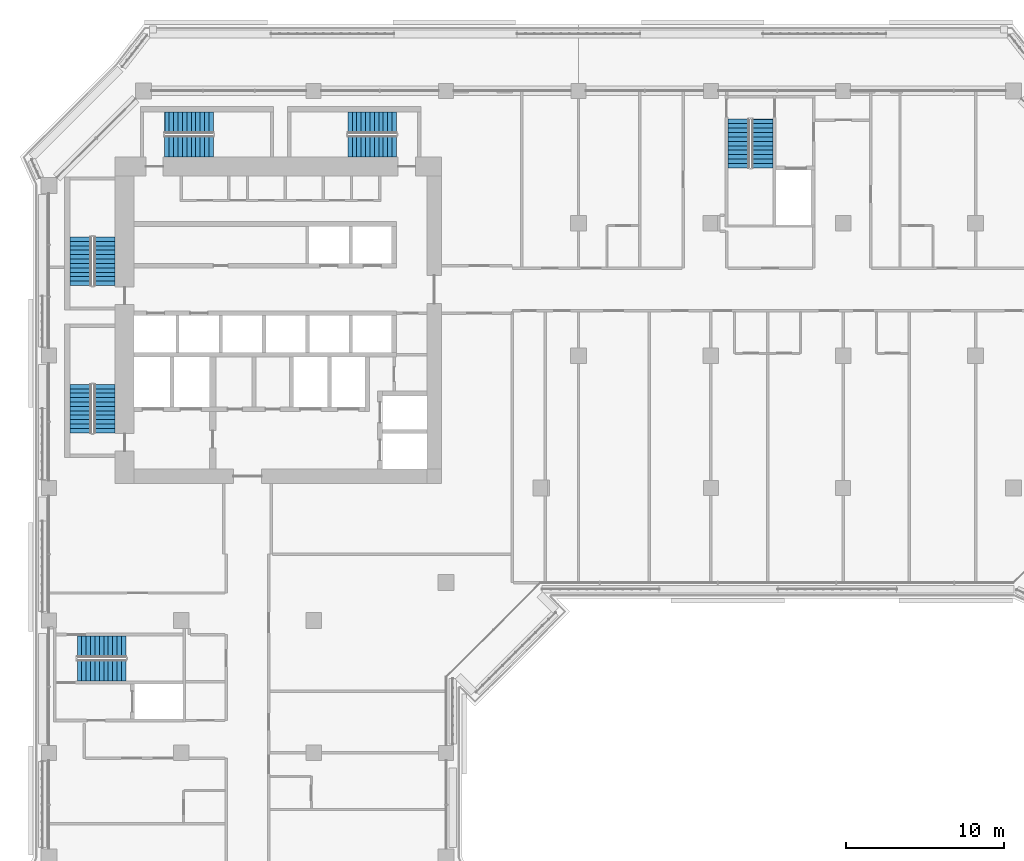
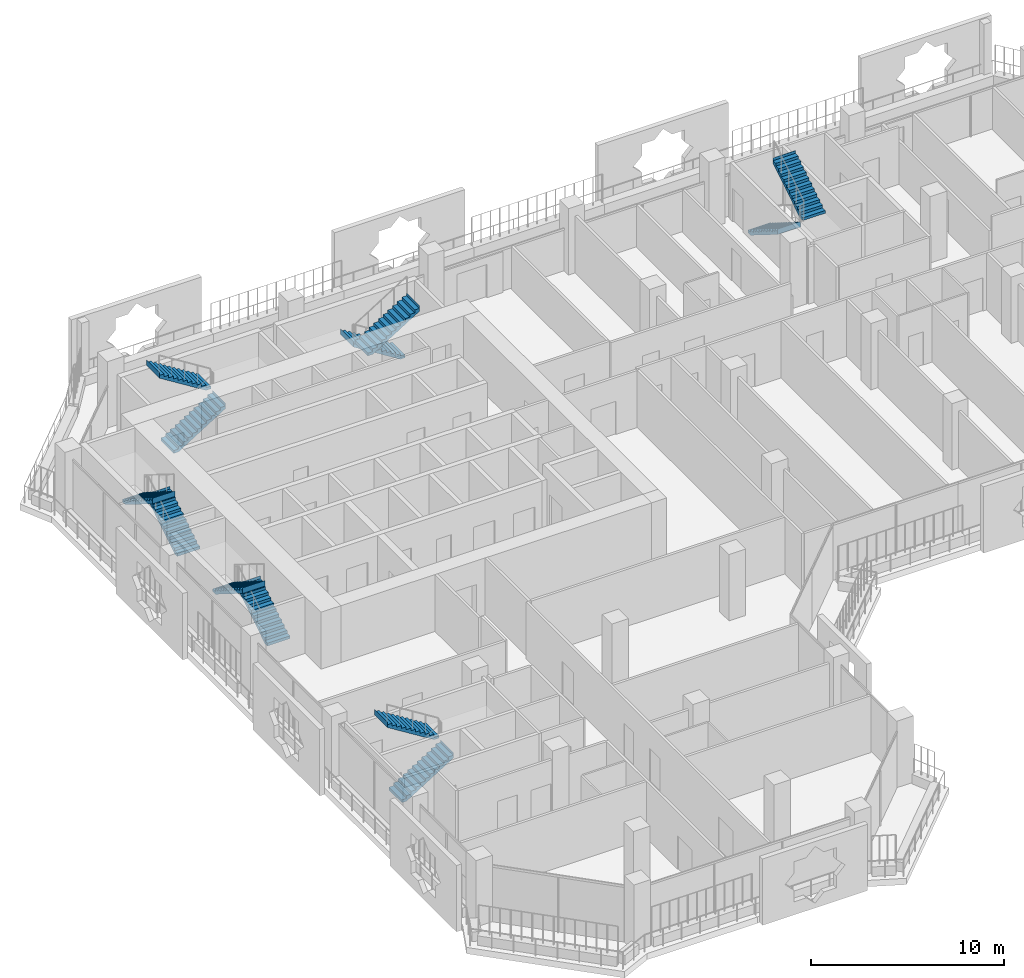
# One storey, part 15 of 22: 12 stair flights, 6 elements without a shape of their own.
"""IFC4 building model written with IfcOpenShell, lengths in metres."""

from ifc_helpers import new_model, si_unit, direction, frame, origin, place, context, subcontext, project, spatial, polyline, outline, extrude, material, type_object, element, aggregate, save


model = new_model("IFC4")

# Units and contexts
model_context = context("Model", 3, precision=1e-05, world=origin(), true_north=direction((0.0, 1.0)))
body_context = subcontext(model_context, "Body", "Model", "MODEL_VIEW")
ifc_project = project(units=[si_unit("LENGTHUNIT", "METRE"), si_unit("AREAUNIT", "SQUARE_METRE"), si_unit("VOLUMEUNIT", "CUBIC_METRE"), si_unit("PLANEANGLEUNIT", "RADIAN"), si_unit("MASSUNIT", "GRAM", prefix="KILO")], contexts=[model_context])

# Site, building, storey
site_placement = place(None, origin())
site = spatial("IfcSite", under=ifc_project, at=site_placement, CompositionType="ELEMENT")
building_placement = place(site_placement, origin())
building = spatial("IfcBuilding", under=site, at=building_placement, Name="Kawkab Arch Medical Tower", CompositionType="ELEMENT")
storey_placement = place(building_placement, frame((0.0, 0.0, 196.199951171875)))
storey = spatial("IfcBuildingStorey", under=building, at=storey_placement, Name="L45", CompositionType="ELEMENT", Elevation=196.199951171875)

# Stair, stair flights
ifc_material_1 = material(Name="Concrete C40/50", Category="concrete")
stair_type = type_object("IfcStairType", Name="Exit stair 1350", PredefinedType="HALF_TURN_STAIR", material=ifc_material_1)
placement = place(storey_placement, origin())
stair_1 = element("IfcStair", 1, at=placement, inside=storey, type_object=stair_type, Name="L45 Exit stair ST1", PredefinedType="HALF_TURN_STAIR")
ifc_material_2 = material(Name="Concrete C40/50", Category="concrete")
stair_flight_type = type_object("IfcStairFlightType", Name="Exit stair flight 1350", PredefinedType="STRAIGHT", material=ifc_material_2)
stair_flight_1_placement = place(storey_placement, frame((3.52490234375, -12.35009765625, 0.0), z_axis=(0.0, 0.0, 1.0), x_axis=(0.0, 1.0, 0.0)))
stair_flight_1 = element("IfcStairFlight", 2, at=stair_flight_1_placement, type_object=stair_flight_type, Name="ST1 flight 1", NumberOfRisers=12, NumberOfTreads=11, PredefinedType="STRAIGHT", RiserHeight=0.175, TreadLength=0.28, context=body_context, shape_type="SweptSolid", body=[
    extrude(outline(polyline([(-0.0029296875, 0.0), (-0.0029296875, 0.175048828125), (0.0, 0.175048828125), (0.280029296875, 0.175048828125), (0.280029296875, 0.35009765625), (0.56005859375, 0.35009765625), (0.56005859375, 0.52490234375), (0.840087890625, 0.52490234375), (0.840087890625, 0.699951171875), (1.1201171875, 0.699951171875), (1.1201171875, 0.875), (1.39990234375, 0.875), (1.39990234375, 1.050048828125), (1.679931640625, 1.050048828125), (1.679931640625, 1.22509765625), (1.9599609375, 1.22509765625), (1.9599609375, 1.39990234375), (2.239990234375, 1.39990234375), (2.239990234375, 1.574951171875), (2.52001953125, 1.574951171875), (2.52001953125, 1.75), (2.800048828125, 1.75), (2.800048828125, 1.925048828125), (3.080078125, 1.925048828125), (3.080078125, 2.10009765625), (3.0830078125, 2.10009765625), (3.0830078125, 1.748291015625), (3.080078125, 1.748291015625), (0.28271484375, 0.0), (-0.0029296875, 0.0)])), frame((0.0, 0.675048828125, 0.0), z_axis=(0.0, -1.0, 0.0), x_axis=(1.0, 0.0, 0.0)), (0.0, 0.0, 1.0), 1.35009765625),
])
stair_flight_2_placement = place(storey_placement, frame((2.02490234375, -9.27001953125, 2.10009765625), z_axis=(0.0, 0.0, 1.0), x_axis=(0.0, -1.0, 0.0)))
stair_flight_2 = element("IfcStairFlight", 3, at=stair_flight_2_placement, type_object=stair_flight_type, Name="ST1 flight 2", NumberOfRisers=12, NumberOfTreads=11, PredefinedType="STRAIGHT", RiserHeight=0.175, TreadLength=0.28, context=body_context, shape_type="SweptSolid", body=[
    extrude(outline(polyline([(-0.0029296875, 0.0), (-0.0029296875, 0.175048828125), (0.0, 0.175048828125), (0.280029296875, 0.175048828125), (0.280029296875, 0.35009765625), (0.56005859375, 0.35009765625), (0.56005859375, 0.52490234375), (0.840087890625, 0.52490234375), (0.840087890625, 0.699951171875), (1.1201171875, 0.699951171875), (1.1201171875, 0.875), (1.39990234375, 0.875), (1.39990234375, 1.050048828125), (1.679931640625, 1.050048828125), (1.679931640625, 1.22509765625), (1.9599609375, 1.22509765625), (1.9599609375, 1.39990234375), (2.239990234375, 1.39990234375), (2.239990234375, 1.574951171875), (2.52001953125, 1.574951171875), (2.52001953125, 1.75), (2.800048828125, 1.75), (2.800048828125, 1.925048828125), (3.080078125, 1.925048828125), (3.080078125, 2.10009765625), (3.0830078125, 2.10009765625), (3.0830078125, 1.748291015625), (3.080078125, 1.748291015625), (0.28271484375, 0.0), (-0.0029296875, 0.0)])), frame((0.0, 0.675048828125, 0.0), z_axis=(0.0, -1.0, 0.0), x_axis=(1.0, 0.0, 0.0)), (0.0, 0.0, 1.0), 1.35009765625),
])
aggregate(stair_1, [stair_flight_1, stair_flight_2])

stair_2 = element("IfcStair", 4, at=placement, inside=storey, type_object=stair_type, Name="L45 Exit stair ST2", PredefinedType="HALF_TURN_STAIR")
stair_flight_3_placement = place(storey_placement, frame((3.52490234375, -21.699951171875, 0.0), z_axis=(0.0, 0.0, 1.0), x_axis=(0.0, 1.0, 0.0)))
stair_flight_3 = element("IfcStairFlight", 5, at=stair_flight_3_placement, type_object=stair_flight_type, Name="ST2 flight 1", NumberOfRisers=12, NumberOfTreads=11, PredefinedType="STRAIGHT", RiserHeight=0.175, TreadLength=0.28, context=body_context, shape_type="SweptSolid", body=[
    extrude(outline(polyline([(-0.0029296875, 0.0), (-0.0029296875, 0.175048828125), (0.0, 0.175048828125), (0.280029296875, 0.175048828125), (0.280029296875, 0.35009765625), (0.56005859375, 0.35009765625), (0.56005859375, 0.52490234375), (0.840087890625, 0.52490234375), (0.840087890625, 0.699951171875), (1.1201171875, 0.699951171875), (1.1201171875, 0.875), (1.39990234375, 0.875), (1.39990234375, 1.050048828125), (1.679931640625, 1.050048828125), (1.679931640625, 1.22509765625), (1.9599609375, 1.22509765625), (1.9599609375, 1.39990234375), (2.239990234375, 1.39990234375), (2.239990234375, 1.574951171875), (2.52001953125, 1.574951171875), (2.52001953125, 1.75), (2.800048828125, 1.75), (2.800048828125, 1.925048828125), (3.080078125, 1.925048828125), (3.080078125, 2.10009765625), (3.0830078125, 2.10009765625), (3.0830078125, 1.748291015625), (3.080078125, 1.748291015625), (0.28271484375, 0.0), (-0.0029296875, 0.0)])), frame((0.0, 0.675048828125, 0.0), z_axis=(0.0, -1.0, 0.0), x_axis=(1.0, 0.0, 0.0)), (0.0, 0.0, 1.0), 1.35009765625),
])
stair_flight_4_placement = place(storey_placement, frame((2.02490234375, -18.6201171875, 2.10009765625), z_axis=(0.0, 0.0, 1.0), x_axis=(0.0, -1.0, 0.0)))
stair_flight_4 = element("IfcStairFlight", 6, at=stair_flight_4_placement, type_object=stair_flight_type, Name="ST2 flight 2", NumberOfRisers=12, NumberOfTreads=11, PredefinedType="STRAIGHT", RiserHeight=0.175, TreadLength=0.28, context=body_context, shape_type="SweptSolid", body=[
    extrude(outline(polyline([(-0.0029296875, 0.0), (-0.0029296875, 0.175048828125), (0.0, 0.175048828125), (0.280029296875, 0.175048828125), (0.280029296875, 0.35009765625), (0.56005859375, 0.35009765625), (0.56005859375, 0.52490234375), (0.840087890625, 0.52490234375), (0.840087890625, 0.699951171875), (1.1201171875, 0.699951171875), (1.1201171875, 0.875), (1.39990234375, 0.875), (1.39990234375, 1.050048828125), (1.679931640625, 1.050048828125), (1.679931640625, 1.22509765625), (1.9599609375, 1.22509765625), (1.9599609375, 1.39990234375), (2.239990234375, 1.39990234375), (2.239990234375, 1.574951171875), (2.52001953125, 1.574951171875), (2.52001953125, 1.75), (2.800048828125, 1.75), (2.800048828125, 1.925048828125), (3.080078125, 1.925048828125), (3.080078125, 2.10009765625), (3.0830078125, 2.10009765625), (3.0830078125, 1.748291015625), (3.080078125, 1.748291015625), (0.28271484375, 0.0), (-0.0029296875, 0.0)])), frame((0.0, 0.675048828125, 0.0), z_axis=(0.0, -1.0, 0.0), x_axis=(1.0, 0.0, 0.0)), (0.0, 0.0, 1.0), 1.35009765625),
])
aggregate(stair_2, [stair_flight_3, stair_flight_4])

stair_3 = element("IfcStair", 7, at=placement, inside=storey, type_object=stair_type, Name="L45 Exit stair ST3", PredefinedType="HALF_TURN_STAIR")
stair_flight_5_placement = place(storey_placement, frame((7.35009765625, -3.52490234375, 0.0), z_axis=(0.0, 0.0, 1.0), x_axis=(1.0, 0.0, 0.0)))
stair_flight_5 = element("IfcStairFlight", 8, at=stair_flight_5_placement, type_object=stair_flight_type, Name="ST3 flight 1", NumberOfRisers=12, NumberOfTreads=11, PredefinedType="STRAIGHT", RiserHeight=0.175, TreadLength=0.28, context=body_context, shape_type="SweptSolid", body=[
    extrude(outline(polyline([(-0.0029296875, 0.0), (-0.0029296875, 0.175048828125), (0.0, 0.175048828125), (0.280029296875, 0.175048828125), (0.280029296875, 0.35009765625), (0.56005859375, 0.35009765625), (0.56005859375, 0.52490234375), (0.840087890625, 0.52490234375), (0.840087890625, 0.699951171875), (1.1201171875, 0.699951171875), (1.1201171875, 0.875), (1.39990234375, 0.875), (1.39990234375, 1.050048828125), (1.679931640625, 1.050048828125), (1.679931640625, 1.22509765625), (1.9599609375, 1.22509765625), (1.9599609375, 1.39990234375), (2.239990234375, 1.39990234375), (2.239990234375, 1.574951171875), (2.52001953125, 1.574951171875), (2.52001953125, 1.75), (2.800048828125, 1.75), (2.800048828125, 1.925048828125), (3.080078125, 1.925048828125), (3.080078125, 2.10009765625), (3.0830078125, 2.10009765625), (3.0830078125, 1.748291015625), (3.080078125, 1.748291015625), (0.28271484375, 0.0), (-0.0029296875, 0.0)])), frame((0.0, 0.675048828125, 0.0), z_axis=(0.0, -1.0, 0.0), x_axis=(1.0, 0.0, 0.0)), (0.0, 0.0, 1.0), 1.35009765625),
])
stair_flight_6_placement = place(storey_placement, frame((10.429931640625, -2.02490234375, 2.10009765625), z_axis=(0.0, 0.0, 1.0), x_axis=(-1.0, 0.0, 0.0)))
stair_flight_6 = element("IfcStairFlight", 9, at=stair_flight_6_placement, type_object=stair_flight_type, Name="ST3 flight 2", NumberOfRisers=12, NumberOfTreads=11, PredefinedType="STRAIGHT", RiserHeight=0.175, TreadLength=0.28, context=body_context, shape_type="SweptSolid", body=[
    extrude(outline(polyline([(-0.0029296875, 0.0), (-0.0029296875, 0.175048828125), (0.0, 0.175048828125), (0.280029296875, 0.175048828125), (0.280029296875, 0.35009765625), (0.56005859375, 0.35009765625), (0.56005859375, 0.52490234375), (0.840087890625, 0.52490234375), (0.840087890625, 0.699951171875), (1.1201171875, 0.699951171875), (1.1201171875, 0.875), (1.39990234375, 0.875), (1.39990234375, 1.050048828125), (1.679931640625, 1.050048828125), (1.679931640625, 1.22509765625), (1.9599609375, 1.22509765625), (1.9599609375, 1.39990234375), (2.239990234375, 1.39990234375), (2.239990234375, 1.574951171875), (2.52001953125, 1.574951171875), (2.52001953125, 1.75), (2.800048828125, 1.75), (2.800048828125, 1.925048828125), (3.080078125, 1.925048828125), (3.080078125, 2.10009765625), (3.0830078125, 2.10009765625), (3.0830078125, 1.748291015625), (3.080078125, 1.748291015625), (0.28271484375, 0.0), (-0.0029296875, 0.0)])), frame((0.0, 0.675048828125, 0.0), z_axis=(0.0, -1.0, 0.0), x_axis=(1.0, 0.0, 0.0)), (0.0, 0.0, 1.0), 1.35009765625),
])
aggregate(stair_3, [stair_flight_5, stair_flight_6])

stair_4 = element("IfcStair", 10, at=placement, inside=storey, type_object=stair_type, Name="L45 Exit stair ST4", PredefinedType="HALF_TURN_STAIR")
stair_flight_7_placement = place(storey_placement, frame((22.050048828125, -2.02490234375, 0.0), z_axis=(0.0, 0.0, 1.0), x_axis=(-1.0, 0.0, 0.0)))
stair_flight_7 = element("IfcStairFlight", 11, at=stair_flight_7_placement, type_object=stair_flight_type, Name="ST4 flight 1", NumberOfRisers=12, NumberOfTreads=11, PredefinedType="STRAIGHT", RiserHeight=0.175, TreadLength=0.28, context=body_context, shape_type="SweptSolid", body=[
    extrude(outline(polyline([(-0.0029296875, 0.0), (-0.0029296875, 0.175048828125), (0.0, 0.175048828125), (0.280029296875, 0.175048828125), (0.280029296875, 0.35009765625), (0.56005859375, 0.35009765625), (0.56005859375, 0.52490234375), (0.840087890625, 0.52490234375), (0.840087890625, 0.699951171875), (1.1201171875, 0.699951171875), (1.1201171875, 0.875), (1.39990234375, 0.875), (1.39990234375, 1.050048828125), (1.679931640625, 1.050048828125), (1.679931640625, 1.22509765625), (1.9599609375, 1.22509765625), (1.9599609375, 1.39990234375), (2.239990234375, 1.39990234375), (2.239990234375, 1.574951171875), (2.52001953125, 1.574951171875), (2.52001953125, 1.75), (2.800048828125, 1.75), (2.800048828125, 1.925048828125), (3.080078125, 1.925048828125), (3.080078125, 2.10009765625), (3.0830078125, 2.10009765625), (3.0830078125, 1.748291015625), (3.080078125, 1.748291015625), (0.28271484375, 0.0), (-0.0029296875, 0.0)])), frame((0.0, 0.675048828125, 0.0), z_axis=(0.0, -1.0, 0.0), x_axis=(1.0, 0.0, 0.0)), (0.0, 0.0, 1.0), 1.35009765625),
])
stair_flight_8_placement = place(storey_placement, frame((18.969970703125, -3.52490234375, 2.10009765625), z_axis=(0.0, 0.0, 1.0), x_axis=(1.0, 0.0, 0.0)))
stair_flight_8 = element("IfcStairFlight", 12, at=stair_flight_8_placement, type_object=stair_flight_type, Name="ST4 flight 2", NumberOfRisers=12, NumberOfTreads=11, PredefinedType="STRAIGHT", RiserHeight=0.175, TreadLength=0.28, context=body_context, shape_type="SweptSolid", body=[
    extrude(outline(polyline([(-0.0029296875, 0.0), (-0.0029296875, 0.175048828125), (0.0, 0.175048828125), (0.280029296875, 0.175048828125), (0.280029296875, 0.35009765625), (0.56005859375, 0.35009765625), (0.56005859375, 0.52490234375), (0.840087890625, 0.52490234375), (0.840087890625, 0.699951171875), (1.1201171875, 0.699951171875), (1.1201171875, 0.875), (1.39990234375, 0.875), (1.39990234375, 1.050048828125), (1.679931640625, 1.050048828125), (1.679931640625, 1.22509765625), (1.9599609375, 1.22509765625), (1.9599609375, 1.39990234375), (2.239990234375, 1.39990234375), (2.239990234375, 1.574951171875), (2.52001953125, 1.574951171875), (2.52001953125, 1.75), (2.800048828125, 1.75), (2.800048828125, 1.925048828125), (3.080078125, 1.925048828125), (3.080078125, 2.10009765625), (3.0830078125, 2.10009765625), (3.0830078125, 1.748291015625), (3.080078125, 1.748291015625), (0.28271484375, 0.0), (-0.0029296875, 0.0)])), frame((0.0, 0.675048828125, 0.0), z_axis=(0.0, -1.0, 0.0), x_axis=(1.0, 0.0, 0.0)), (0.0, 0.0, 1.0), 1.35009765625),
])
aggregate(stair_4, [stair_flight_7, stair_flight_8])

stair_5 = element("IfcStair", 13, at=placement, inside=storey, type_object=stair_type, Name="L45 Exit stair ST5", PredefinedType="HALF_TURN_STAIR")
stair_flight_9_placement = place(storey_placement, frame((43.77490234375, -1.800048828125, 0.0), z_axis=(0.0, 0.0, 1.0), x_axis=(0.0, -1.0, 0.0)))
stair_flight_9 = element("IfcStairFlight", 14, at=stair_flight_9_placement, type_object=stair_flight_type, Name="ST5 flight 1", NumberOfRisers=12, NumberOfTreads=11, PredefinedType="STRAIGHT", RiserHeight=0.175, TreadLength=0.28, context=body_context, shape_type="SweptSolid", body=[
    extrude(outline(polyline([(-0.0029296875, 0.0), (-0.0029296875, 0.175048828125), (0.0, 0.175048828125), (0.280029296875, 0.175048828125), (0.280029296875, 0.35009765625), (0.56005859375, 0.35009765625), (0.56005859375, 0.52490234375), (0.840087890625, 0.52490234375), (0.840087890625, 0.699951171875), (1.1201171875, 0.699951171875), (1.1201171875, 0.875), (1.39990234375, 0.875), (1.39990234375, 1.050048828125), (1.679931640625, 1.050048828125), (1.679931640625, 1.22509765625), (1.9599609375, 1.22509765625), (1.9599609375, 1.39990234375), (2.239990234375, 1.39990234375), (2.239990234375, 1.574951171875), (2.52001953125, 1.574951171875), (2.52001953125, 1.75), (2.800048828125, 1.75), (2.800048828125, 1.925048828125), (3.080078125, 1.925048828125), (3.080078125, 2.10009765625), (3.0830078125, 2.10009765625), (3.0830078125, 1.748291015625), (3.080078125, 1.748291015625), (0.28271484375, 0.0), (-0.0029296875, 0.0)])), frame((0.0, 0.675048828125, 0.0), z_axis=(0.0, -1.0, 0.0), x_axis=(1.0, 0.0, 0.0)), (0.0, 0.0, 1.0), 1.35009765625),
])
stair_flight_10_placement = place(storey_placement, frame((45.27490234375, -4.8798828125, 2.10009765625), z_axis=(0.0, 0.0, 1.0), x_axis=(0.0, 1.0, 0.0)))
stair_flight_10 = element("IfcStairFlight", 15, at=stair_flight_10_placement, type_object=stair_flight_type, Name="ST5 flight 2", NumberOfRisers=12, NumberOfTreads=11, PredefinedType="STRAIGHT", RiserHeight=0.175, TreadLength=0.28, context=body_context, shape_type="SweptSolid", body=[
    extrude(outline(polyline([(-0.0029296875, 0.0), (-0.0029296875, 0.175048828125), (0.0, 0.175048828125), (0.280029296875, 0.175048828125), (0.280029296875, 0.35009765625), (0.56005859375, 0.35009765625), (0.56005859375, 0.52490234375), (0.840087890625, 0.52490234375), (0.840087890625, 0.699951171875), (1.1201171875, 0.699951171875), (1.1201171875, 0.875), (1.39990234375, 0.875), (1.39990234375, 1.050048828125), (1.679931640625, 1.050048828125), (1.679931640625, 1.22509765625), (1.9599609375, 1.22509765625), (1.9599609375, 1.39990234375), (2.239990234375, 1.39990234375), (2.239990234375, 1.574951171875), (2.52001953125, 1.574951171875), (2.52001953125, 1.75), (2.800048828125, 1.75), (2.800048828125, 1.925048828125), (3.080078125, 1.925048828125), (3.080078125, 2.10009765625), (3.0830078125, 2.10009765625), (3.0830078125, 1.748291015625), (3.080078125, 1.748291015625), (0.28271484375, 0.0), (-0.0029296875, 0.0)])), frame((0.0, 0.675048828125, 0.0), z_axis=(0.0, -1.0, 0.0), x_axis=(1.0, 0.0, 0.0)), (0.0, 0.0, 1.0), 1.35009765625),
])
aggregate(stair_5, [stair_flight_9, stair_flight_10])

stair_6 = element("IfcStair", 16, at=placement, inside=storey, type_object=stair_type, Name="L45 Exit stair ST6", PredefinedType="HALF_TURN_STAIR")
stair_flight_11_placement = place(storey_placement, frame((1.800048828125, -36.77490234375, 0.0), z_axis=(0.0, 0.0, 1.0), x_axis=(1.0, 0.0, 0.0)))
stair_flight_11 = element("IfcStairFlight", 17, at=stair_flight_11_placement, type_object=stair_flight_type, Name="ST6 flight 1", NumberOfRisers=12, NumberOfTreads=11, PredefinedType="STRAIGHT", RiserHeight=0.175, TreadLength=0.28, context=body_context, shape_type="SweptSolid", body=[
    extrude(outline(polyline([(-0.0029296875, 0.0), (-0.0029296875, 0.175048828125), (0.0, 0.175048828125), (0.280029296875, 0.175048828125), (0.280029296875, 0.35009765625), (0.56005859375, 0.35009765625), (0.56005859375, 0.52490234375), (0.840087890625, 0.52490234375), (0.840087890625, 0.699951171875), (1.1201171875, 0.699951171875), (1.1201171875, 0.875), (1.39990234375, 0.875), (1.39990234375, 1.050048828125), (1.679931640625, 1.050048828125), (1.679931640625, 1.22509765625), (1.9599609375, 1.22509765625), (1.9599609375, 1.39990234375), (2.239990234375, 1.39990234375), (2.239990234375, 1.574951171875), (2.52001953125, 1.574951171875), (2.52001953125, 1.75), (2.800048828125, 1.75), (2.800048828125, 1.925048828125), (3.080078125, 1.925048828125), (3.080078125, 2.10009765625), (3.0830078125, 2.10009765625), (3.0830078125, 1.748291015625), (3.080078125, 1.748291015625), (0.28271484375, 0.0), (-0.0029296875, 0.0)])), frame((0.0, 0.675048828125, 0.0), z_axis=(0.0, -1.0, 0.0), x_axis=(1.0, 0.0, 0.0)), (0.0, 0.0, 1.0), 1.35009765625),
])
stair_flight_12_placement = place(storey_placement, frame((4.8798828125, -35.27490234375, 2.10009765625), z_axis=(0.0, 0.0, 1.0), x_axis=(-1.0, 0.0, 0.0)))
stair_flight_12 = element("IfcStairFlight", 18, at=stair_flight_12_placement, type_object=stair_flight_type, Name="ST6 flight 2", NumberOfRisers=12, NumberOfTreads=11, PredefinedType="STRAIGHT", RiserHeight=0.175, TreadLength=0.28, context=body_context, shape_type="SweptSolid", body=[
    extrude(outline(polyline([(-0.0029296875, 0.0), (-0.0029296875, 0.175048828125), (0.0, 0.175048828125), (0.280029296875, 0.175048828125), (0.280029296875, 0.35009765625), (0.56005859375, 0.35009765625), (0.56005859375, 0.52490234375), (0.840087890625, 0.52490234375), (0.840087890625, 0.699951171875), (1.1201171875, 0.699951171875), (1.1201171875, 0.875), (1.39990234375, 0.875), (1.39990234375, 1.050048828125), (1.679931640625, 1.050048828125), (1.679931640625, 1.22509765625), (1.9599609375, 1.22509765625), (1.9599609375, 1.39990234375), (2.239990234375, 1.39990234375), (2.239990234375, 1.574951171875), (2.52001953125, 1.574951171875), (2.52001953125, 1.75), (2.800048828125, 1.75), (2.800048828125, 1.925048828125), (3.080078125, 1.925048828125), (3.080078125, 2.10009765625), (3.0830078125, 2.10009765625), (3.0830078125, 1.748291015625), (3.080078125, 1.748291015625), (0.28271484375, 0.0), (-0.0029296875, 0.0)])), frame((0.0, 0.675048828125, 0.0), z_axis=(0.0, -1.0, 0.0), x_axis=(1.0, 0.0, 0.0)), (0.0, 0.0, 1.0), 1.35009765625),
])
aggregate(stair_6, [stair_flight_11, stair_flight_12])

save(model, "model.ifc")
